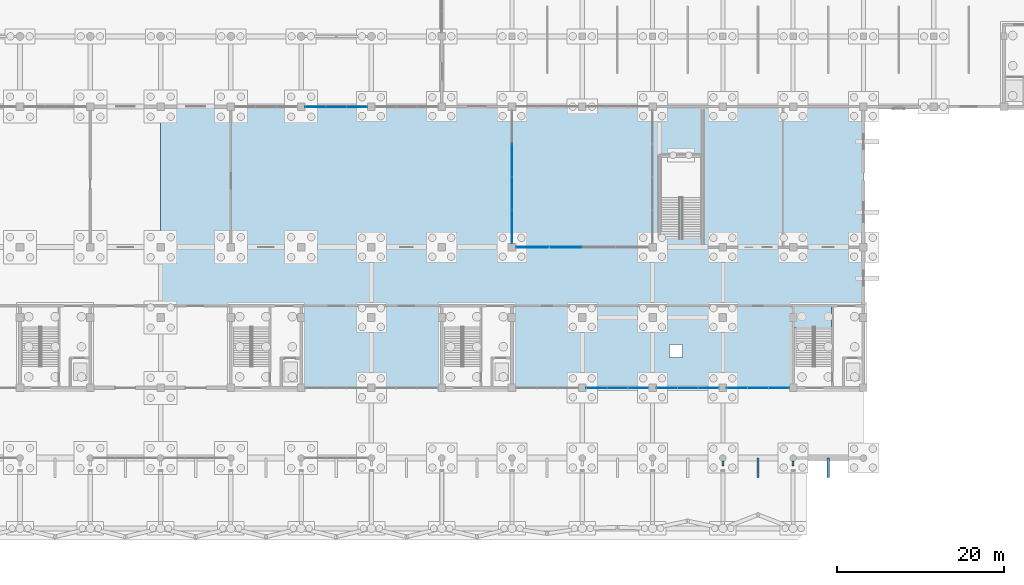
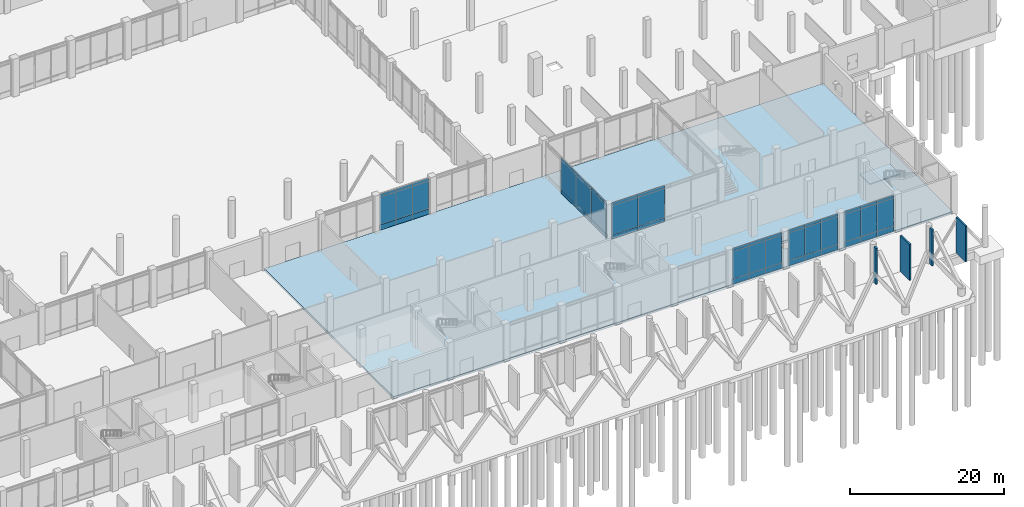
# One storey, part 46 of 72: 55 plates, 2 slabs, 7 elements without a shape of their own.
"""IFC4 building model written with IfcOpenShell, lengths in metres."""

import ifcopenshell
import ifcopenshell.guid

model = None  # the IFC model being written
_history = None  # IfcOwnerHistory: only IFC2X3 demands one
_inside = {}  # id of a spatial element -> (the spatial element, [elements in it])
_under = {}  # id of a project, library or spatial element -> (it, [spatial elements below it])
_declared = {}  # id of a project -> (the project, [libraries it declares])
_typed = {}  # id of a type object -> (the type object, [elements of that type])
_made_of = {}  # id of a material, layer set ... -> (it, [elements and type objects made of it])


def new_model(schema):
    """Start an empty IFC model of exactly this schema.

    Asked for "IFC4X3", IfcOpenShell would pick the latest addendum, in which some entities
    have other attributes; the version numbers below select the first issue.
    IFC2X3 requires an IfcOwnerHistory on every rooted entity: one is made here for all.
    """
    global model, _history
    if schema == "IFC4X3":
        model = ifcopenshell.file(schema_version=(4, 3, 0, 0))
    else:
        model = ifcopenshell.file(schema=schema)
    _inside.clear()
    _under.clear()
    _declared.clear()
    _typed.clear()
    _made_of.clear()
    _history = None
    if model.schema == "IFC2X3":
        org = make("IfcOrganization", Name="unknown")
        user = make(
            "IfcPersonAndOrganization",
            ThePerson=make("IfcPerson", FamilyName="unknown"),
            TheOrganization=org,
        )
        app = make(
            "IfcApplication",
            ApplicationDeveloper=org,
            Version="unknown",
            ApplicationFullName="unknown",
            ApplicationIdentifier="unknown",
        )
        _history = make(
            "IfcOwnerHistory",
            OwningUser=user,
            OwningApplication=app,
            ChangeAction="ADDED",
            CreationDate=0,
        )
    return model


def make(cls, **values):
    """One entity of the class cls with the attributes given. An attribute that is None is left unset."""
    return model.create_entity(
        cls, **{name: value for name, value in values.items() if value is not None}
    )


def rooted(cls, **values):
    """An entity with a GlobalId (a new one), such as an element, a storey or a relation."""
    return make(cls, GlobalId=ifcopenshell.guid.new(), OwnerHistory=_history, **values)


def si_unit(unit_type, name, prefix=None):
    """IfcSIUnit, for example si_unit("LENGTHUNIT", "METRE", prefix="MILLI")."""
    return make("IfcSIUnit", UnitType=unit_type, Prefix=prefix, Name=name)


def assignment(units):
    """IfcUnitAssignment: the units of a project."""
    return None if units is None else make("IfcUnitAssignment", Units=units)


def point(xyz):
    """IfcCartesianPoint."""
    return None if xyz is None else make("IfcCartesianPoint", Coordinates=xyz)


def direction(xyz):
    """IfcDirection."""
    return None if xyz is None else make("IfcDirection", DirectionRatios=xyz)


def frame(location, z_axis=None, x_axis=None):
    """IfcAxis2Placement3D, a coordinate frame: its origin and axes. An axis left out is left unset."""
    return make(
        "IfcAxis2Placement3D",
        Location=point(location),
        Axis=direction(z_axis),
        RefDirection=direction(x_axis),
    )


def frame_2d(location, x_axis=None):
    """IfcAxis2Placement2D, a coordinate frame in the plane: its origin and x axis."""
    return make(
        "IfcAxis2Placement2D", Location=point(location), RefDirection=direction(x_axis)
    )


def origin():
    """The frame at (0, 0, 0) with its axes left unset."""
    return frame((0.0, 0.0, 0.0))


def place(relative_to, where):
    """IfcLocalPlacement: puts the frame where relative to a parent placement (None: the world)."""
    return make(
        "IfcLocalPlacement", PlacementRelTo=relative_to, RelativePlacement=where
    )


def context(
    kind, dimensions, precision=None, world=None, true_north=None, identifier=None
):
    """IfcGeometricRepresentationContext, for example the 3D "Model" context."""
    return make(
        "IfcGeometricRepresentationContext",
        ContextIdentifier=identifier,
        ContextType=kind,
        CoordinateSpaceDimension=dimensions,
        Precision=precision,
        WorldCoordinateSystem=world,
        TrueNorth=true_north,
    )


def subcontext(parent, identifier, kind, view, scale=None):
    """IfcGeometricRepresentationSubContext, for example "Body" below "Model"."""
    return make(
        "IfcGeometricRepresentationSubContext",
        ContextIdentifier=identifier,
        ContextType=kind,
        ParentContext=parent,
        TargetScale=scale,
        TargetView=view,
    )


def project(units=None, contexts=None):
    """IfcProject with its units and contexts."""
    return rooted(
        "IfcProject",
        Name="project",
        RepresentationContexts=contexts,
        UnitsInContext=assignment(units),
    )


def spatial(cls, under=None, at=None, **own):
    """A site, building, storey or space (cls), placed at a placement, below another one or the project."""
    s = rooted(cls, ObjectPlacement=at, **own)
    if under is not None:
        _under.setdefault(under.id(), (under, []))[1].append(s)
    return s


def polyline(points):
    """IfcPolyline through the points."""
    return make("IfcPolyline", Points=[point(p) for p in points])


def profile(cls, at=None, kind="AREA", **sizes):
    """A parametric profile (cls). Its sizes go by their IFC names, for example OverallWidth=200.0."""
    return make(cls, ProfileType=kind, Position=at, **sizes)


def rectangle(**sizes):
    """IfcRectangleProfileDef."""
    return profile("IfcRectangleProfileDef", **sizes)


def outline(outer, holes=None, kind="AREA"):
    """IfcArbitraryClosedProfileDef: a profile drawn as a closed curve; with holes, ...WithVoids."""
    if holes is None:
        return make("IfcArbitraryClosedProfileDef", ProfileType=kind, OuterCurve=outer)
    return make(
        "IfcArbitraryProfileDefWithVoids",
        ProfileType=kind,
        OuterCurve=outer,
        InnerCurves=holes,
    )


def extrude(swept, where, along, depth):
    """IfcExtrudedAreaSolid: the profile swept, set in the frame where, extruded along a direction by depth."""
    return make(
        "IfcExtrudedAreaSolid",
        SweptArea=swept,
        Position=where,
        ExtrudedDirection=direction(along),
        Depth=depth,
    )


def shape(context_of_items, identifier, shape_type, items):
    """IfcShapeRepresentation: the items that make up one representation, for example the "Body"."""
    return make(
        "IfcShapeRepresentation",
        ContextOfItems=context_of_items,
        RepresentationIdentifier=identifier,
        RepresentationType=shape_type,
        Items=items,
    )


def material(Name=None, Category=None):
    """IfcMaterial."""
    return make("IfcMaterial", Name=Name, Category=Category)


def layer(
    of_material, thickness, ventilated=None, Name=None, Category=None, Priority=None
):
    """IfcMaterialLayer: one layer of a wall or slab, of a material (None: an air gap)."""
    return make(
        "IfcMaterialLayer",
        Material=of_material,
        LayerThickness=thickness,
        IsVentilated=ventilated,
        Name=Name,
        Category=Category,
        Priority=Priority,
    )


def layer_set(layers, Name=None):
    """IfcMaterialLayerSet."""
    return make("IfcMaterialLayerSet", MaterialLayers=layers, LayerSetName=Name)


def made_of(thing, what):
    """Note that an element or type object is made of a material, layer set ...; save() writes the relation."""
    if what is not None:
        _made_of.setdefault(what.id(), (what, []))[1].append(thing)
    return thing


def type_object(cls, material=None, **own):
    """A type object (cls), such as IfcWallType, which elements share."""
    return made_of(rooted(cls, **own), material)


def element(
    cls,
    number,
    at=None,
    inside=None,
    cuts=None,
    type_object=None,
    material=None,
    context=None,
    identifier="Body",
    shape_type=None,
    held_by="IfcProductDefinitionShape",
    body=None,
    shapes=None,
    **own,
):
    """One element of the class cls, such as IfcWall. Its Tag is "e" and its number.

    at: its placement. inside: the storey or other place that contains it. cuts: it is an
    opening in that element (IfcRelVoidsElement). A single representation is given by context,
    identifier, shape_type and body (its items); several are given by shapes. held_by: the class
    of the entity that holds the representations. save() writes the other relations.
    """
    e = rooted(cls, Tag="e%d" % number, ObjectPlacement=at, **own)
    if body is not None:
        shapes = [shape(context, identifier, shape_type, body)]
    if shapes is not None:
        e.Representation = make(held_by, Representations=shapes)
    if inside is not None:
        _inside.setdefault(inside.id(), (inside, []))[1].append(e)
    if cuts is not None:
        rooted(
            "IfcRelVoidsElement", RelatingBuildingElement=cuts, RelatedOpeningElement=e
        )
    if type_object is not None:
        _typed.setdefault(type_object.id(), (type_object, []))[1].append(e)
    return made_of(e, material)


def aggregate(whole, parts):
    """IfcRelAggregates: a whole, such as a stair, and the parts it consists of."""
    return rooted("IfcRelAggregates", RelatingObject=whole, RelatedObjects=parts)


def save(model, path):
    """Write the relations noted so far, then the file.

    IfcRelAggregates (storeys below a building ...), IfcRelContainedInSpatialStructure (elements
    in a storey), IfcRelDefinesByType, IfcRelAssociatesMaterial and IfcRelDeclares: one each for
    every whole, place, type object, material and project.
    """
    for whole, parts in _under.values():
        aggregate(whole, parts)
    for where, things in _inside.values():
        rooted(
            "IfcRelContainedInSpatialStructure",
            RelatedElements=things,
            RelatingStructure=where,
        )
    for kind, things in _typed.values():
        rooted("IfcRelDefinesByType", RelatedObjects=things, RelatingType=kind)
    for what, things in _made_of.values():
        rooted("IfcRelAssociatesMaterial", RelatedObjects=things, RelatingMaterial=what)
    for by, libraries in _declared.values():
        rooted("IfcRelDeclares", RelatingContext=by, RelatedDefinitions=libraries)
    model.write(path)


model = new_model("IFC4")

# Units and contexts
model_context = context("Model", 3, precision=1e-05, world=origin(), true_north=direction((0.0, 1.0)))
body_context = subcontext(model_context, "Body", "Model", "MODEL_VIEW")
ifc_project = project(units=[si_unit("LENGTHUNIT", "METRE"), si_unit("AREAUNIT", "SQUARE_METRE"), si_unit("VOLUMEUNIT", "CUBIC_METRE"), si_unit("PLANEANGLEUNIT", "RADIAN"), si_unit("MASSUNIT", "GRAM", prefix="KILO")], contexts=[model_context])

# Site, building, storey
site_placement = place(None, origin())
site = spatial("IfcSite", under=ifc_project, at=site_placement, CompositionType="ELEMENT")
building_placement = place(site_placement, origin())
building = spatial("IfcBuilding", under=site, at=building_placement, Name="Qawsi Khor Wholesale Market", CompositionType="ELEMENT")
storey_placement = place(building_placement, origin())
storey = spatial("IfcBuildingStorey", under=building, at=storey_placement, Name="L00", CompositionType="ELEMENT", Elevation=0.0)

# Slab
ifc_material_1 = material(Name="Concrete C45/55", Category="concrete")
ifc_layer_1 = layer(ifc_material_1, 0.360107421875, Name="Concrete C45/55")
ifc_layer_set_1 = layer_set([ifc_layer_1], Name="Concrete C45/55")
slab_type_1 = type_object("IfcSlabType", Name="Ground-Bearing Slab 360 C45/55", PredefinedType="BASESLAB", material=ifc_layer_set_1)
slab_1_placement = place(storey_placement, frame((0.0, 0.0, -0.360107421875)))
element("IfcSlab", 1, at=slab_1_placement, inside=storey, type_object=slab_type_1, Name="SLB-L00-SWING-E", PredefinedType="BASESLAB", context=body_context, shape_type="SweptSolid", body=[
    extrude(outline(polyline([(109.199951171875, 42.0), (193.199951171875, 42.0), (193.199951171875, 8.39990234375), (109.199951171875, 8.39990234375), (109.199951171875, 42.0)]), holes=[polyline([(171.60009765625, 12.0), (171.60009765625, 13.60009765625), (170.0, 13.60009765625), (170.0, 12.0), (171.60009765625, 12.0)])]), origin(), (0.0, 0.0, 1.0), 0.360107421875),
])

# Curtain wall, plates
ifc_material_2 = material(Name="Aluminium Anodised Bronze", Category="aluminium")
ifc_layer_2 = layer(ifc_material_2, 0.159912109375, Name="Aluminium Anodised Bronze")
ifc_layer_set_2 = layer_set([ifc_layer_2], Name="Aluminium Anodised Bronze")
curtain_wall_type_1 = type_object("IfcCurtainWallType", Name="Boulevard Arcade Glazed Curtain Wall CW-01", PredefinedType="NOTDEFINED", material=ifc_layer_set_2)
curtain_wall_1_placement = place(storey_placement, origin())
curtain_wall_1 = element("IfcCurtainWall", 2, at=curtain_wall_1_placement, inside=storey, type_object=curtain_wall_type_1, Name="Curtain wall CW-CW-01-L00-008", PredefinedType="NOTDEFINED")
ifc_material_3 = material(Name="Anodised Aluminium Spandrel", Category="aluminium")
ifc_layer_3 = layer(ifc_material_3, 0.054931640625, Name="Anodised Aluminium Spandrel")
ifc_layer_set_3 = layer_set([ifc_layer_3], Name="Anodised Aluminium Spandrel")
plate_type_1 = type_object("IfcPlateType", Name="Insulated Spandrel Panel CW-01 55mm", PredefinedType="CURTAIN_PANEL", material=ifc_layer_set_3)
plate_1_placement = place(storey_placement, frame((160.092529296875, 8.39990234375, 0.0048828125), z_axis=(0.0, 0.0, 1.0), x_axis=(1.0, 0.0, 0.0)))
plate_1 = element("IfcPlate", 3, at=plate_1_placement, type_object=plate_type_1, Name="Curtain panel CW-CW-01-L00-008-P0_00", PredefinedType="CURTAIN_PANEL", context=body_context, shape_type="SweptSolid", body=[
    extrude(rectangle(XDim=2.4716796875, YDim=0.054931640625, at=frame_2d((1.23583984375, 0.0))), origin(), (0.0, 0.0, 1.0), 0.840087890625),
])
plate_2_placement = place(storey_placement, frame((162.564208984375, 8.39990234375, 0.0048828125), z_axis=(0.0, 0.0, 1.0), x_axis=(1.0, 0.0, 0.0)))
plate_2 = element("IfcPlate", 4, at=plate_2_placement, type_object=plate_type_1, Name="Curtain panel CW-CW-01-L00-008-P0_01", PredefinedType="CURTAIN_PANEL", context=body_context, shape_type="SweptSolid", body=[
    extrude(rectangle(XDim=2.4716796875, YDim=0.054931640625, at=frame_2d((1.23583984375, 0.0))), origin(), (0.0, 0.0, 1.0), 0.840087890625),
])
plate_3_placement = place(storey_placement, frame((165.035888671875, 8.39990234375, 0.0048828125), z_axis=(0.0, 0.0, 1.0), x_axis=(1.0, 0.0, 0.0)))
plate_3 = element("IfcPlate", 5, at=plate_3_placement, type_object=plate_type_1, Name="Curtain panel CW-CW-01-L00-008-P0_02", PredefinedType="CURTAIN_PANEL", context=body_context, shape_type="SweptSolid", body=[
    extrude(rectangle(XDim=2.4716796875, YDim=0.054931640625, at=frame_2d((1.23583984375, 0.0))), origin(), (0.0, 0.0, 1.0), 0.840087890625),
])

curtain_wall_2_placement = place(storey_placement, origin())
curtain_wall_2 = element("IfcCurtainWall", 6, at=curtain_wall_2_placement, inside=storey, type_object=curtain_wall_type_1, Name="Curtain wall CW-CW-01-L00-009", PredefinedType="NOTDEFINED")
plate_4_placement = place(storey_placement, frame((168.492431640625, 8.39990234375, 0.0048828125), z_axis=(0.0, 0.0, 1.0), x_axis=(1.0, 0.0, 0.0)))
plate_4 = element("IfcPlate", 7, at=plate_4_placement, type_object=plate_type_1, Name="Curtain panel CW-CW-01-L00-009-P0_00", PredefinedType="CURTAIN_PANEL", context=body_context, shape_type="SweptSolid", body=[
    extrude(rectangle(XDim=2.4716796875, YDim=0.054931640625, at=frame_2d((1.23583984375, 0.0))), origin(), (0.0, 0.0, 1.0), 0.840087890625),
])
plate_5_placement = place(storey_placement, frame((170.964111328125, 8.39990234375, 0.0048828125), z_axis=(0.0, 0.0, 1.0), x_axis=(1.0, 0.0, 0.0)))
plate_5 = element("IfcPlate", 8, at=plate_5_placement, type_object=plate_type_1, Name="Curtain panel CW-CW-01-L00-009-P0_01", PredefinedType="CURTAIN_PANEL", context=body_context, shape_type="SweptSolid", body=[
    extrude(rectangle(XDim=2.4716796875, YDim=0.054931640625, at=frame_2d((1.23583984375, 0.0))), origin(), (0.0, 0.0, 1.0), 0.840087890625),
])
plate_6_placement = place(storey_placement, frame((173.435791015625, 8.39990234375, 0.0048828125), z_axis=(0.0, 0.0, 1.0), x_axis=(1.0, 0.0, 0.0)))
plate_6 = element("IfcPlate", 9, at=plate_6_placement, type_object=plate_type_1, Name="Curtain panel CW-CW-01-L00-009-P0_02", PredefinedType="CURTAIN_PANEL", context=body_context, shape_type="SweptSolid", body=[
    extrude(rectangle(XDim=2.4716796875, YDim=0.054931640625, at=frame_2d((1.23583984375, 0.0))), origin(), (0.0, 0.0, 1.0), 0.840087890625),
])

curtain_wall_3_placement = place(storey_placement, origin())
curtain_wall_3 = element("IfcCurtainWall", 10, at=curtain_wall_3_placement, inside=storey, type_object=curtain_wall_type_1, Name="Curtain wall CW-CW-01-L00-010", PredefinedType="NOTDEFINED")
plate_7_placement = place(storey_placement, frame((176.892578125, 8.39990234375, 0.0048828125), z_axis=(0.0, 0.0, 1.0), x_axis=(1.0, 0.0, 0.0)))
plate_7 = element("IfcPlate", 11, at=plate_7_placement, type_object=plate_type_1, Name="Curtain panel CW-CW-01-L00-010-P0_00", PredefinedType="CURTAIN_PANEL", context=body_context, shape_type="SweptSolid", body=[
    extrude(rectangle(XDim=2.4716796875, YDim=0.054931640625, at=frame_2d((1.23583984375, 0.0))), origin(), (0.0, 0.0, 1.0), 0.840087890625),
])
plate_8_placement = place(storey_placement, frame((179.3642578125, 8.39990234375, 0.0048828125), z_axis=(0.0, 0.0, 1.0), x_axis=(1.0, 0.0, 0.0)))
plate_8 = element("IfcPlate", 12, at=plate_8_placement, type_object=plate_type_1, Name="Curtain panel CW-CW-01-L00-010-P0_01", PredefinedType="CURTAIN_PANEL", context=body_context, shape_type="SweptSolid", body=[
    extrude(rectangle(XDim=2.471435546875, YDim=0.054931640625, at=frame_2d((1.23583984375, 0.0))), origin(), (0.0, 0.0, 1.0), 0.840087890625),
])
plate_9_placement = place(storey_placement, frame((181.835693359375, 8.39990234375, 0.0048828125), z_axis=(0.0, 0.0, 1.0), x_axis=(1.0, 0.0, 0.0)))
plate_9 = element("IfcPlate", 13, at=plate_9_placement, type_object=plate_type_1, Name="Curtain panel CW-CW-01-L00-010-P0_02", PredefinedType="CURTAIN_PANEL", context=body_context, shape_type="SweptSolid", body=[
    extrude(rectangle(XDim=2.471923828125, YDim=0.054931640625, at=frame_2d((1.23583984375, 0.0))), origin(), (0.0, 0.0, 1.0), 0.840087890625),
])

ifc_layer_4 = layer(ifc_material_2, 0.179931640625, Name="Aluminium Anodised Bronze")
ifc_layer_set_4 = layer_set([ifc_layer_4], Name="Aluminium Anodised Bronze")
curtain_wall_type_2 = type_object("IfcCurtainWallType", Name="Atrium Full-Height Curtain Wall CW-02", PredefinedType="NOTDEFINED", material=ifc_layer_set_4)
curtain_wall_4_placement = place(storey_placement, origin())
curtain_wall_4 = element("IfcCurtainWall", 14, at=curtain_wall_4_placement, inside=storey, type_object=curtain_wall_type_2, Name="Curtain wall CW-CW-02-L00-031", PredefinedType="NOTDEFINED")
ifc_layer_5 = layer(ifc_material_3, 0.06494140625, Name="Anodised Aluminium Spandrel")
ifc_layer_set_5 = layer_set([ifc_layer_5], Name="Anodised Aluminium Spandrel")
plate_type_2 = type_object("IfcPlateType", Name="Insulated Spandrel Panel CW-02 65mm", PredefinedType="CURTAIN_PANEL", material=ifc_layer_set_5)
plate_10_placement = place(storey_placement, frame((151.695068359375, 25.199951171875, 0.0048828125), z_axis=(0.0, 0.0, 1.0), x_axis=(1.0, 0.0, 0.0)))
plate_10 = element("IfcPlate", 15, at=plate_10_placement, type_object=plate_type_2, Name="Curtain panel CW-CW-02-L00-031-P0_00", PredefinedType="CURTAIN_PANEL", context=body_context, shape_type="SweptSolid", body=[
    extrude(rectangle(XDim=3.952392578125, YDim=0.06494140625, at=frame_2d((1.97607421875, 0.0))), origin(), (0.0, 0.0, 1.0), 0.590087890625),
])
plate_11_placement = place(storey_placement, frame((155.6474609375, 25.199951171875, 0.0048828125), z_axis=(0.0, 0.0, 1.0), x_axis=(1.0, 0.0, 0.0)))
plate_11 = element("IfcPlate", 16, at=plate_11_placement, type_object=plate_type_2, Name="Curtain panel CW-CW-02-L00-031-P0_01", PredefinedType="CURTAIN_PANEL", context=body_context, shape_type="SweptSolid", body=[
    extrude(rectangle(XDim=3.95263671875, YDim=0.06494140625, at=frame_2d((1.976318359375, 0.0))), origin(), (0.0, 0.0, 1.0), 0.590087890625),
])

curtain_wall_5_placement = place(storey_placement, origin())
curtain_wall_5 = element("IfcCurtainWall", 17, at=curtain_wall_5_placement, inside=storey, type_object=curtain_wall_type_2, Name="Curtain wall CW-CW-02-L00-034", PredefinedType="NOTDEFINED")
plate_12_placement = place(storey_placement, frame((151.199951171875, 25.695068359375, 0.0048828125), z_axis=(0.0, 0.0, 1.0), x_axis=(0.0, 1.0, 0.0)))
plate_12 = element("IfcPlate", 18, at=plate_12_placement, type_object=plate_type_2, Name="Curtain panel CW-CW-02-L00-034-P0_00", PredefinedType="CURTAIN_PANEL", context=body_context, shape_type="SweptSolid", body=[
    extrude(rectangle(XDim=3.952392578125, YDim=0.06494140625, at=frame_2d((1.97607421875, 0.0))), origin(), (0.0, 0.0, 1.0), 0.590087890625),
])
plate_13_placement = place(storey_placement, frame((151.199951171875, 29.6474609375, 0.0048828125), z_axis=(0.0, 0.0, 1.0), x_axis=(0.0, 1.0, 0.0)))
plate_13 = element("IfcPlate", 19, at=plate_13_placement, type_object=plate_type_2, Name="Curtain panel CW-CW-02-L00-034-P0_01", PredefinedType="CURTAIN_PANEL", context=body_context, shape_type="SweptSolid", body=[
    extrude(rectangle(XDim=3.95263671875, YDim=0.06494140625, at=frame_2d((1.976318359375, 0.0))), origin(), (0.0, 0.0, 1.0), 0.590087890625),
])
plate_14_placement = place(storey_placement, frame((151.199951171875, 33.60009765625, 0.0048828125), z_axis=(0.0, 0.0, 1.0), x_axis=(0.0, 1.0, 0.0)))
plate_14 = element("IfcPlate", 20, at=plate_14_placement, type_object=plate_type_2, Name="Curtain panel CW-CW-02-L00-034-P0_02", PredefinedType="CURTAIN_PANEL", context=body_context, shape_type="SweptSolid", body=[
    extrude(rectangle(XDim=3.952392578125, YDim=0.06494140625, at=frame_2d((1.97607421875, 0.0))), origin(), (0.0, 0.0, 1.0), 0.590087890625),
])

ifc_layer_6 = layer(ifc_material_2, 0.169921875, Name="Aluminium Anodised Bronze")
ifc_layer_set_6 = layer_set([ifc_layer_6], Name="Aluminium Anodised Bronze")
curtain_wall_type_3 = type_object("IfcCurtainWallType", Name="Central Court Gallery Curtain Wall CW-05", PredefinedType="NOTDEFINED", material=ifc_layer_set_6)
curtain_wall_6_placement = place(storey_placement, origin())
curtain_wall_6 = element("IfcCurtainWall", 21, at=curtain_wall_6_placement, inside=storey, type_object=curtain_wall_type_3, Name="Curtain wall CW-CW-05-L00-058", PredefinedType="NOTDEFINED")
ifc_layer_7 = layer(ifc_material_3, 0.094970703125, Name="Anodised Aluminium Spandrel")
ifc_layer_set_7 = layer_set([ifc_layer_7], Name="Anodised Aluminium Spandrel")
plate_type_3 = type_object("IfcPlateType", Name="Insulated Spandrel Panel CW-05 95mm", PredefinedType="CURTAIN_PANEL", material=ifc_layer_set_7)
plate_15_placement = place(storey_placement, frame((126.5, 42.0, 0.0048828125), z_axis=(0.0, 0.0, 1.0), x_axis=(1.0, 0.0, 0.0)))
plate_15 = element("IfcPlate", 22, at=plate_15_placement, type_object=plate_type_3, Name="Curtain panel CW-CW-05-L00-058-P0_00", PredefinedType="CURTAIN_PANEL", context=body_context, shape_type="SweptSolid", body=[
    extrude(rectangle(XDim=2.466796875, YDim=0.094970703125, at=frame_2d((1.2333984375, 0.0))), origin(), (0.0, 0.0, 1.0), 0.840087890625),
])
plate_16_placement = place(storey_placement, frame((128.966796875, 42.0, 0.0048828125), z_axis=(0.0, 0.0, 1.0), x_axis=(1.0, 0.0, 0.0)))
plate_16 = element("IfcPlate", 23, at=plate_16_placement, type_object=plate_type_3, Name="Curtain panel CW-CW-05-L00-058-P0_01", PredefinedType="CURTAIN_PANEL", context=body_context, shape_type="SweptSolid", body=[
    extrude(rectangle(XDim=2.466552734375, YDim=0.094970703125, at=frame_2d((1.2333984375, 0.0))), origin(), (0.0, 0.0, 1.0), 0.840087890625),
])
plate_17_placement = place(storey_placement, frame((131.433349609375, 42.0, 0.0048828125), z_axis=(0.0, 0.0, 1.0), x_axis=(1.0, 0.0, 0.0)))
plate_17 = element("IfcPlate", 24, at=plate_17_placement, type_object=plate_type_3, Name="Curtain panel CW-CW-05-L00-058-P0_02", PredefinedType="CURTAIN_PANEL", context=body_context, shape_type="SweptSolid", body=[
    extrude(rectangle(XDim=2.466552734375, YDim=0.094970703125, at=frame_2d((1.2333984375, 0.0))), origin(), (0.0, 0.0, 1.0), 0.840087890625),
])

# Plates
ifc_material_4 = material(Name="Concrete C40/50", Category="concrete")
ifc_layer_8 = layer(ifc_material_4, 0.260009765625, Name="Concrete C40/50")
ifc_layer_set_8 = layer_set([ifc_layer_8], Name="Concrete C40/50")
plate_type_4 = type_object("IfcPlateType", Name="Sculpted Concrete Solar Buttress Fin 260", PredefinedType="SHEET", material=ifc_layer_set_8)
plate_18_placement = place(storey_placement, frame((176.39990234375, -0.949951171875, 0.0), z_axis=(0.0, 0.0, 1.0), x_axis=(0.0, 1.0, 0.0)))
element("IfcPlate", 25, at=plate_18_placement, inside=storey, type_object=plate_type_4, Name="Boulevard concrete solar buttress fin L00-36", PredefinedType="SHEET", context=body_context, shape_type="SweptSolid", body=[
    extrude(rectangle(XDim=0.58984375, YDim=0.260009765625, at=frame_2d((0.294921875, 0.0))), origin(), (0.0, 0.0, 1.0), 5.719970703125),
])
plate_19_placement = place(storey_placement, frame((180.60009765625, -2.35009765625, 0.0), z_axis=(0.0, 0.0, 1.0), x_axis=(0.0, 1.0, 0.0)))
element("IfcPlate", 26, at=plate_19_placement, inside=storey, type_object=plate_type_4, Name="Boulevard concrete solar buttress fin L00-37", PredefinedType="SHEET", context=body_context, shape_type="SweptSolid", body=[
    extrude(rectangle(XDim=2.3701171875, YDim=0.260009765625, at=frame_2d((1.18505859375, 0.0))), origin(), (0.0, 0.0, 1.0), 5.719970703125),
])
plate_20_placement = place(storey_placement, frame((184.800048828125, -0.949951171875, 0.0), z_axis=(0.0, 0.0, 1.0), x_axis=(0.0, 1.0, 0.0)))
element("IfcPlate", 27, at=plate_20_placement, inside=storey, type_object=plate_type_4, Name="Boulevard concrete solar buttress fin L00-38", PredefinedType="SHEET", context=body_context, shape_type="SweptSolid", body=[
    extrude(rectangle(XDim=0.58984375, YDim=0.260009765625, at=frame_2d((0.294921875, 0.0))), origin(), (0.0, 0.0, 1.0), 5.719970703125),
])
plate_21_placement = place(storey_placement, frame((189.0, -2.35009765625, 0.0), z_axis=(0.0, 0.0, 1.0), x_axis=(0.0, 1.0, 0.0)))
element("IfcPlate", 28, at=plate_21_placement, inside=storey, type_object=plate_type_4, Name="Boulevard concrete solar buttress fin L00-39", PredefinedType="SHEET", context=body_context, shape_type="SweptSolid", body=[
    extrude(rectangle(XDim=2.3701171875, YDim=0.260009765625, at=frame_2d((1.18505859375, 0.0))), origin(), (0.0, 0.0, 1.0), 5.719970703125),
])

# Plate
ifc_material_5 = material(Name="Tempered Low-E Solar Glass", Category="glass")
ifc_layer_9 = layer(ifc_material_5, 0.02392578125, Name="Tempered Low-E Solar Glass")
ifc_layer_set_9 = layer_set([ifc_layer_9], Name="Tempered Low-E Solar Glass")
plate_type_5 = type_object("IfcPlateType", Name="Solar Double-Glazed Unit CW-01 24mm", PredefinedType="CURTAIN_PANEL", material=ifc_layer_set_9)
plate_22_placement = place(storey_placement, frame((160.092529296875, 8.39990234375, 0.85498046875), z_axis=(0.0, 0.0, 1.0), x_axis=(1.0, 0.0, 0.0)))
plate_22 = element("IfcPlate", 29, at=plate_22_placement, type_object=plate_type_5, Name="Curtain panel CW-CW-01-L00-008-P1_00", PredefinedType="CURTAIN_PANEL", context=body_context, shape_type="SweptSolid", body=[
    extrude(rectangle(XDim=2.4716796875, YDim=0.02392578125, at=frame_2d((1.23583984375, 0.0))), origin(), (0.0, 0.0, 1.0), 4.409912109375),
])

plate_23_placement = place(storey_placement, frame((162.564208984375, 8.39990234375, 0.85498046875), z_axis=(0.0, 0.0, 1.0), x_axis=(1.0, 0.0, 0.0)))
plate_23 = element("IfcPlate", 30, at=plate_23_placement, type_object=plate_type_5, Name="Curtain panel CW-CW-01-L00-008-P1_01", PredefinedType="CURTAIN_PANEL", context=body_context, shape_type="SweptSolid", body=[
    extrude(rectangle(XDim=2.4716796875, YDim=0.02392578125, at=frame_2d((1.23583984375, 0.0))), origin(), (0.0, 0.0, 1.0), 4.409912109375),
])

plate_24_placement = place(storey_placement, frame((165.035888671875, 8.39990234375, 0.85498046875), z_axis=(0.0, 0.0, 1.0), x_axis=(1.0, 0.0, 0.0)))
plate_24 = element("IfcPlate", 31, at=plate_24_placement, type_object=plate_type_5, Name="Curtain panel CW-CW-01-L00-008-P1_02", PredefinedType="CURTAIN_PANEL", context=body_context, shape_type="SweptSolid", body=[
    extrude(rectangle(XDim=2.4716796875, YDim=0.02392578125, at=frame_2d((1.23583984375, 0.0))), origin(), (0.0, 0.0, 1.0), 4.409912109375),
])

plate_25_placement = place(storey_placement, frame((160.092529296875, 8.39990234375, 5.27490234375), z_axis=(0.0, 0.0, 1.0), x_axis=(1.0, 0.0, 0.0)))
plate_25 = element("IfcPlate", 32, at=plate_25_placement, type_object=plate_type_5, Name="Curtain panel CW-CW-01-L00-008-P2_00", PredefinedType="CURTAIN_PANEL", context=body_context, shape_type="SweptSolid", body=[
    extrude(rectangle(XDim=2.4716796875, YDim=0.02392578125, at=frame_2d((1.23583984375, 0.0))), origin(), (0.0, 0.0, 1.0), 0.440185546875),
])

plate_26_placement = place(storey_placement, frame((162.564208984375, 8.39990234375, 5.27490234375), z_axis=(0.0, 0.0, 1.0), x_axis=(1.0, 0.0, 0.0)))
plate_26 = element("IfcPlate", 33, at=plate_26_placement, type_object=plate_type_5, Name="Curtain panel CW-CW-01-L00-008-P2_01", PredefinedType="CURTAIN_PANEL", context=body_context, shape_type="SweptSolid", body=[
    extrude(rectangle(XDim=2.4716796875, YDim=0.02392578125, at=frame_2d((1.23583984375, 0.0))), origin(), (0.0, 0.0, 1.0), 0.440185546875),
])

plate_27_placement = place(storey_placement, frame((165.035888671875, 8.39990234375, 5.27490234375), z_axis=(0.0, 0.0, 1.0), x_axis=(1.0, 0.0, 0.0)))
plate_27 = element("IfcPlate", 34, at=plate_27_placement, type_object=plate_type_5, Name="Curtain panel CW-CW-01-L00-008-P2_02", PredefinedType="CURTAIN_PANEL", context=body_context, shape_type="SweptSolid", body=[
    extrude(rectangle(XDim=2.4716796875, YDim=0.02392578125, at=frame_2d((1.23583984375, 0.0))), origin(), (0.0, 0.0, 1.0), 0.440185546875),
])

aggregate(curtain_wall_1, [plate_1, plate_2, plate_3, plate_22, plate_23, plate_24, plate_25, plate_26, plate_27])

plate_28_placement = place(storey_placement, frame((168.492431640625, 8.39990234375, 0.85498046875), z_axis=(0.0, 0.0, 1.0), x_axis=(1.0, 0.0, 0.0)))
plate_28 = element("IfcPlate", 35, at=plate_28_placement, type_object=plate_type_5, Name="Curtain panel CW-CW-01-L00-009-P1_00", PredefinedType="CURTAIN_PANEL", context=body_context, shape_type="SweptSolid", body=[
    extrude(rectangle(XDim=2.4716796875, YDim=0.02392578125, at=frame_2d((1.23583984375, 0.0))), origin(), (0.0, 0.0, 1.0), 4.409912109375),
])

plate_29_placement = place(storey_placement, frame((170.964111328125, 8.39990234375, 0.85498046875), z_axis=(0.0, 0.0, 1.0), x_axis=(1.0, 0.0, 0.0)))
plate_29 = element("IfcPlate", 36, at=plate_29_placement, type_object=plate_type_5, Name="Curtain panel CW-CW-01-L00-009-P1_01", PredefinedType="CURTAIN_PANEL", context=body_context, shape_type="SweptSolid", body=[
    extrude(rectangle(XDim=2.4716796875, YDim=0.02392578125, at=frame_2d((1.23583984375, 0.0))), origin(), (0.0, 0.0, 1.0), 4.409912109375),
])

plate_30_placement = place(storey_placement, frame((173.435791015625, 8.39990234375, 0.85498046875), z_axis=(0.0, 0.0, 1.0), x_axis=(1.0, 0.0, 0.0)))
plate_30 = element("IfcPlate", 37, at=plate_30_placement, type_object=plate_type_5, Name="Curtain panel CW-CW-01-L00-009-P1_02", PredefinedType="CURTAIN_PANEL", context=body_context, shape_type="SweptSolid", body=[
    extrude(rectangle(XDim=2.4716796875, YDim=0.02392578125, at=frame_2d((1.23583984375, 0.0))), origin(), (0.0, 0.0, 1.0), 4.409912109375),
])

plate_31_placement = place(storey_placement, frame((168.492431640625, 8.39990234375, 5.27490234375), z_axis=(0.0, 0.0, 1.0), x_axis=(1.0, 0.0, 0.0)))
plate_31 = element("IfcPlate", 38, at=plate_31_placement, type_object=plate_type_5, Name="Curtain panel CW-CW-01-L00-009-P2_00", PredefinedType="CURTAIN_PANEL", context=body_context, shape_type="SweptSolid", body=[
    extrude(rectangle(XDim=2.4716796875, YDim=0.02392578125, at=frame_2d((1.23583984375, 0.0))), origin(), (0.0, 0.0, 1.0), 0.440185546875),
])

plate_32_placement = place(storey_placement, frame((170.964111328125, 8.39990234375, 5.27490234375), z_axis=(0.0, 0.0, 1.0), x_axis=(1.0, 0.0, 0.0)))
plate_32 = element("IfcPlate", 39, at=plate_32_placement, type_object=plate_type_5, Name="Curtain panel CW-CW-01-L00-009-P2_01", PredefinedType="CURTAIN_PANEL", context=body_context, shape_type="SweptSolid", body=[
    extrude(rectangle(XDim=2.4716796875, YDim=0.02392578125, at=frame_2d((1.23583984375, 0.0))), origin(), (0.0, 0.0, 1.0), 0.440185546875),
])

plate_33_placement = place(storey_placement, frame((173.435791015625, 8.39990234375, 5.27490234375), z_axis=(0.0, 0.0, 1.0), x_axis=(1.0, 0.0, 0.0)))
plate_33 = element("IfcPlate", 40, at=plate_33_placement, type_object=plate_type_5, Name="Curtain panel CW-CW-01-L00-009-P2_02", PredefinedType="CURTAIN_PANEL", context=body_context, shape_type="SweptSolid", body=[
    extrude(rectangle(XDim=2.4716796875, YDim=0.02392578125, at=frame_2d((1.23583984375, 0.0))), origin(), (0.0, 0.0, 1.0), 0.440185546875),
])

aggregate(curtain_wall_2, [plate_4, plate_5, plate_6, plate_28, plate_29, plate_30, plate_31, plate_32, plate_33])

plate_34_placement = place(storey_placement, frame((176.892578125, 8.39990234375, 0.85498046875), z_axis=(0.0, 0.0, 1.0), x_axis=(1.0, 0.0, 0.0)))
plate_34 = element("IfcPlate", 41, at=plate_34_placement, type_object=plate_type_5, Name="Curtain panel CW-CW-01-L00-010-P1_00", PredefinedType="CURTAIN_PANEL", context=body_context, shape_type="SweptSolid", body=[
    extrude(rectangle(XDim=2.4716796875, YDim=0.02392578125, at=frame_2d((1.23583984375, 0.0))), origin(), (0.0, 0.0, 1.0), 4.409912109375),
])

plate_35_placement = place(storey_placement, frame((179.3642578125, 8.39990234375, 0.85498046875), z_axis=(0.0, 0.0, 1.0), x_axis=(1.0, 0.0, 0.0)))
plate_35 = element("IfcPlate", 42, at=plate_35_placement, type_object=plate_type_5, Name="Curtain panel CW-CW-01-L00-010-P1_01", PredefinedType="CURTAIN_PANEL", context=body_context, shape_type="SweptSolid", body=[
    extrude(rectangle(XDim=2.471435546875, YDim=0.02392578125, at=frame_2d((1.23583984375, 0.0))), origin(), (0.0, 0.0, 1.0), 4.409912109375),
])

plate_36_placement = place(storey_placement, frame((181.835693359375, 8.39990234375, 0.85498046875), z_axis=(0.0, 0.0, 1.0), x_axis=(1.0, 0.0, 0.0)))
plate_36 = element("IfcPlate", 43, at=plate_36_placement, type_object=plate_type_5, Name="Curtain panel CW-CW-01-L00-010-P1_02", PredefinedType="CURTAIN_PANEL", context=body_context, shape_type="SweptSolid", body=[
    extrude(rectangle(XDim=2.471923828125, YDim=0.02392578125, at=frame_2d((1.23583984375, 0.0))), origin(), (0.0, 0.0, 1.0), 4.409912109375),
])

plate_37_placement = place(storey_placement, frame((176.892578125, 8.39990234375, 5.27490234375), z_axis=(0.0, 0.0, 1.0), x_axis=(1.0, 0.0, 0.0)))
plate_37 = element("IfcPlate", 44, at=plate_37_placement, type_object=plate_type_5, Name="Curtain panel CW-CW-01-L00-010-P2_00", PredefinedType="CURTAIN_PANEL", context=body_context, shape_type="SweptSolid", body=[
    extrude(rectangle(XDim=2.4716796875, YDim=0.02392578125, at=frame_2d((1.23583984375, 0.0))), origin(), (0.0, 0.0, 1.0), 0.440185546875),
])

plate_38_placement = place(storey_placement, frame((179.3642578125, 8.39990234375, 5.27490234375), z_axis=(0.0, 0.0, 1.0), x_axis=(1.0, 0.0, 0.0)))
plate_38 = element("IfcPlate", 45, at=plate_38_placement, type_object=plate_type_5, Name="Curtain panel CW-CW-01-L00-010-P2_01", PredefinedType="CURTAIN_PANEL", context=body_context, shape_type="SweptSolid", body=[
    extrude(rectangle(XDim=2.471435546875, YDim=0.02392578125, at=frame_2d((1.23583984375, 0.0))), origin(), (0.0, 0.0, 1.0), 0.440185546875),
])

plate_39_placement = place(storey_placement, frame((181.835693359375, 8.39990234375, 5.27490234375), z_axis=(0.0, 0.0, 1.0), x_axis=(1.0, 0.0, 0.0)))
plate_39 = element("IfcPlate", 46, at=plate_39_placement, type_object=plate_type_5, Name="Curtain panel CW-CW-01-L00-010-P2_02", PredefinedType="CURTAIN_PANEL", context=body_context, shape_type="SweptSolid", body=[
    extrude(rectangle(XDim=2.471923828125, YDim=0.02392578125, at=frame_2d((1.23583984375, 0.0))), origin(), (0.0, 0.0, 1.0), 0.440185546875),
])

aggregate(curtain_wall_3, [plate_7, plate_8, plate_9, plate_34, plate_35, plate_36, plate_37, plate_38, plate_39])

ifc_layer_10 = layer(ifc_material_5, 0.031982421875, Name="Tempered Low-E Solar Glass")
ifc_layer_set_10 = layer_set([ifc_layer_10], Name="Tempered Low-E Solar Glass")
plate_type_6 = type_object("IfcPlateType", Name="Solar Double-Glazed Unit CW-02 32mm", PredefinedType="CURTAIN_PANEL", material=ifc_layer_set_10)
plate_40_placement = place(storey_placement, frame((151.695068359375, 25.199951171875, 0.60498046875), z_axis=(0.0, 0.0, 1.0), x_axis=(1.0, 0.0, 0.0)))
plate_40 = element("IfcPlate", 47, at=plate_40_placement, type_object=plate_type_6, Name="Curtain panel CW-CW-02-L00-031-P1_00", PredefinedType="CURTAIN_PANEL", context=body_context, shape_type="SweptSolid", body=[
    extrude(rectangle(XDim=3.952392578125, YDim=0.031982421875, at=frame_2d((1.97607421875, 0.0))), origin(), (0.0, 0.0, 1.0), 4.659912109375),
])

plate_41_placement = place(storey_placement, frame((155.6474609375, 25.199951171875, 0.60498046875), z_axis=(0.0, 0.0, 1.0), x_axis=(1.0, 0.0, 0.0)))
plate_41 = element("IfcPlate", 48, at=plate_41_placement, type_object=plate_type_6, Name="Curtain panel CW-CW-02-L00-031-P1_01", PredefinedType="CURTAIN_PANEL", context=body_context, shape_type="SweptSolid", body=[
    extrude(rectangle(XDim=3.95263671875, YDim=0.031982421875, at=frame_2d((1.976318359375, 0.0))), origin(), (0.0, 0.0, 1.0), 4.659912109375),
])

plate_42_placement = place(storey_placement, frame((151.695068359375, 25.199951171875, 5.27490234375), z_axis=(0.0, 0.0, 1.0), x_axis=(1.0, 0.0, 0.0)))
plate_42 = element("IfcPlate", 49, at=plate_42_placement, type_object=plate_type_6, Name="Curtain panel CW-CW-02-L00-031-P2_00", PredefinedType="CURTAIN_PANEL", context=body_context, shape_type="SweptSolid", body=[
    extrude(rectangle(XDim=3.952392578125, YDim=0.031982421875, at=frame_2d((1.97607421875, 0.0))), origin(), (0.0, 0.0, 1.0), 0.440185546875),
])

plate_43_placement = place(storey_placement, frame((155.6474609375, 25.199951171875, 5.27490234375), z_axis=(0.0, 0.0, 1.0), x_axis=(1.0, 0.0, 0.0)))
plate_43 = element("IfcPlate", 50, at=plate_43_placement, type_object=plate_type_6, Name="Curtain panel CW-CW-02-L00-031-P2_01", PredefinedType="CURTAIN_PANEL", context=body_context, shape_type="SweptSolid", body=[
    extrude(rectangle(XDim=3.95263671875, YDim=0.031982421875, at=frame_2d((1.976318359375, 0.0))), origin(), (0.0, 0.0, 1.0), 0.440185546875),
])

aggregate(curtain_wall_4, [plate_10, plate_11, plate_40, plate_41, plate_42, plate_43])

plate_44_placement = place(storey_placement, frame((151.199951171875, 25.695068359375, 0.60498046875), z_axis=(0.0, 0.0, 1.0), x_axis=(0.0, 1.0, 0.0)))
plate_44 = element("IfcPlate", 51, at=plate_44_placement, type_object=plate_type_6, Name="Curtain panel CW-CW-02-L00-034-P1_00", PredefinedType="CURTAIN_PANEL", context=body_context, shape_type="SweptSolid", body=[
    extrude(rectangle(XDim=3.952392578125, YDim=0.031982421875, at=frame_2d((1.97607421875, 0.0))), origin(), (0.0, 0.0, 1.0), 4.659912109375),
])

plate_45_placement = place(storey_placement, frame((151.199951171875, 29.6474609375, 0.60498046875), z_axis=(0.0, 0.0, 1.0), x_axis=(0.0, 1.0, 0.0)))
plate_45 = element("IfcPlate", 52, at=plate_45_placement, type_object=plate_type_6, Name="Curtain panel CW-CW-02-L00-034-P1_01", PredefinedType="CURTAIN_PANEL", context=body_context, shape_type="SweptSolid", body=[
    extrude(rectangle(XDim=3.95263671875, YDim=0.031982421875, at=frame_2d((1.976318359375, 0.0))), origin(), (0.0, 0.0, 1.0), 4.659912109375),
])

plate_46_placement = place(storey_placement, frame((151.199951171875, 33.60009765625, 0.60498046875), z_axis=(0.0, 0.0, 1.0), x_axis=(0.0, 1.0, 0.0)))
plate_46 = element("IfcPlate", 53, at=plate_46_placement, type_object=plate_type_6, Name="Curtain panel CW-CW-02-L00-034-P1_02", PredefinedType="CURTAIN_PANEL", context=body_context, shape_type="SweptSolid", body=[
    extrude(rectangle(XDim=3.952392578125, YDim=0.031982421875, at=frame_2d((1.97607421875, 0.0))), origin(), (0.0, 0.0, 1.0), 4.659912109375),
])

plate_47_placement = place(storey_placement, frame((151.199951171875, 25.695068359375, 5.27490234375), z_axis=(0.0, 0.0, 1.0), x_axis=(0.0, 1.0, 0.0)))
plate_47 = element("IfcPlate", 54, at=plate_47_placement, type_object=plate_type_6, Name="Curtain panel CW-CW-02-L00-034-P2_00", PredefinedType="CURTAIN_PANEL", context=body_context, shape_type="SweptSolid", body=[
    extrude(rectangle(XDim=3.952392578125, YDim=0.031982421875, at=frame_2d((1.97607421875, 0.0))), origin(), (0.0, 0.0, 1.0), 0.440185546875),
])

plate_48_placement = place(storey_placement, frame((151.199951171875, 29.6474609375, 5.27490234375), z_axis=(0.0, 0.0, 1.0), x_axis=(0.0, 1.0, 0.0)))
plate_48 = element("IfcPlate", 55, at=plate_48_placement, type_object=plate_type_6, Name="Curtain panel CW-CW-02-L00-034-P2_01", PredefinedType="CURTAIN_PANEL", context=body_context, shape_type="SweptSolid", body=[
    extrude(rectangle(XDim=3.95263671875, YDim=0.031982421875, at=frame_2d((1.976318359375, 0.0))), origin(), (0.0, 0.0, 1.0), 0.440185546875),
])

plate_49_placement = place(storey_placement, frame((151.199951171875, 33.60009765625, 5.27490234375), z_axis=(0.0, 0.0, 1.0), x_axis=(0.0, 1.0, 0.0)))
plate_49 = element("IfcPlate", 56, at=plate_49_placement, type_object=plate_type_6, Name="Curtain panel CW-CW-02-L00-034-P2_02", PredefinedType="CURTAIN_PANEL", context=body_context, shape_type="SweptSolid", body=[
    extrude(rectangle(XDim=3.952392578125, YDim=0.031982421875, at=frame_2d((1.97607421875, 0.0))), origin(), (0.0, 0.0, 1.0), 0.440185546875),
])

aggregate(curtain_wall_5, [plate_12, plate_13, plate_14, plate_44, plate_45, plate_46, plate_47, plate_48, plate_49])

ifc_layer_11 = layer(ifc_material_5, 0.035888671875, Name="Tempered Low-E Solar Glass")
ifc_layer_set_11 = layer_set([ifc_layer_11], Name="Tempered Low-E Solar Glass")
plate_type_7 = type_object("IfcPlateType", Name="Solar Double-Glazed Unit CW-05 36mm", PredefinedType="CURTAIN_PANEL", material=ifc_layer_set_11)
plate_50_placement = place(storey_placement, frame((126.5, 42.0, 0.85498046875), z_axis=(0.0, 0.0, 1.0), x_axis=(1.0, 0.0, 0.0)))
plate_50 = element("IfcPlate", 57, at=plate_50_placement, type_object=plate_type_7, Name="Curtain panel CW-CW-05-L00-058-P1_00", PredefinedType="CURTAIN_PANEL", context=body_context, shape_type="SweptSolid", body=[
    extrude(rectangle(XDim=2.466796875, YDim=0.035888671875, at=frame_2d((1.2333984375, 0.0))), origin(), (0.0, 0.0, 1.0), 4.409912109375),
])

plate_51_placement = place(storey_placement, frame((128.966796875, 42.0, 0.85498046875), z_axis=(0.0, 0.0, 1.0), x_axis=(1.0, 0.0, 0.0)))
plate_51 = element("IfcPlate", 58, at=plate_51_placement, type_object=plate_type_7, Name="Curtain panel CW-CW-05-L00-058-P1_01", PredefinedType="CURTAIN_PANEL", context=body_context, shape_type="SweptSolid", body=[
    extrude(rectangle(XDim=2.466552734375, YDim=0.035888671875, at=frame_2d((1.2333984375, 0.0))), origin(), (0.0, 0.0, 1.0), 4.409912109375),
])

plate_52_placement = place(storey_placement, frame((131.433349609375, 42.0, 0.85498046875), z_axis=(0.0, 0.0, 1.0), x_axis=(1.0, 0.0, 0.0)))
plate_52 = element("IfcPlate", 59, at=plate_52_placement, type_object=plate_type_7, Name="Curtain panel CW-CW-05-L00-058-P1_02", PredefinedType="CURTAIN_PANEL", context=body_context, shape_type="SweptSolid", body=[
    extrude(rectangle(XDim=2.466552734375, YDim=0.035888671875, at=frame_2d((1.2333984375, 0.0))), origin(), (0.0, 0.0, 1.0), 4.409912109375),
])

plate_53_placement = place(storey_placement, frame((126.5, 42.0, 5.27490234375), z_axis=(0.0, 0.0, 1.0), x_axis=(1.0, 0.0, 0.0)))
plate_53 = element("IfcPlate", 60, at=plate_53_placement, type_object=plate_type_7, Name="Curtain panel CW-CW-05-L00-058-P2_00", PredefinedType="CURTAIN_PANEL", context=body_context, shape_type="SweptSolid", body=[
    extrude(rectangle(XDim=2.466796875, YDim=0.035888671875, at=frame_2d((1.2333984375, 0.0))), origin(), (0.0, 0.0, 1.0), 0.440185546875),
])

plate_54_placement = place(storey_placement, frame((128.966796875, 42.0, 5.27490234375), z_axis=(0.0, 0.0, 1.0), x_axis=(1.0, 0.0, 0.0)))
plate_54 = element("IfcPlate", 61, at=plate_54_placement, type_object=plate_type_7, Name="Curtain panel CW-CW-05-L00-058-P2_01", PredefinedType="CURTAIN_PANEL", context=body_context, shape_type="SweptSolid", body=[
    extrude(rectangle(XDim=2.466552734375, YDim=0.035888671875, at=frame_2d((1.2333984375, 0.0))), origin(), (0.0, 0.0, 1.0), 0.440185546875),
])

plate_55_placement = place(storey_placement, frame((131.433349609375, 42.0, 5.27490234375), z_axis=(0.0, 0.0, 1.0), x_axis=(1.0, 0.0, 0.0)))
plate_55 = element("IfcPlate", 62, at=plate_55_placement, type_object=plate_type_7, Name="Curtain panel CW-CW-05-L00-058-P2_02", PredefinedType="CURTAIN_PANEL", context=body_context, shape_type="SweptSolid", body=[
    extrude(rectangle(XDim=2.466552734375, YDim=0.035888671875, at=frame_2d((1.2333984375, 0.0))), origin(), (0.0, 0.0, 1.0), 0.440185546875),
])

aggregate(curtain_wall_6, [plate_15, plate_16, plate_17, plate_50, plate_51, plate_52, plate_53, plate_54, plate_55])

# Stair, slab
stair_type = type_object("IfcStairType", Name="Exit Stair L00-L01 6000 Rise", PredefinedType="HALF_TURN_STAIR", material=ifc_material_4)
stair_placement = place(storey_placement, origin())
stair = element("IfcStair", 63, at=stair_placement, inside=storey, type_object=stair_type, Name="Stair ST-06 L00", PredefinedType="HALF_TURN_STAIR")
ifc_layer_12 = layer(ifc_material_4, 0.179931640625, Name="Concrete C40/50")
ifc_layer_set_12 = layer_set([ifc_layer_12], Name="Concrete C40/50")
slab_type_2 = type_object("IfcSlabType", Name="Stair Half-Landing Slab 180 C40/50", PredefinedType="LANDING", material=ifc_layer_set_12)
slab_2_placement = place(storey_placement, frame((0.0, 0.0, 2.820068359375)))
slab_2 = element("IfcSlab", 64, at=slab_2_placement, type_object=slab_type_2, Name="ST-06-L00 landing 1", PredefinedType="LANDING", context=body_context, shape_type="SweptSolid", body=[
    extrude(outline(polyline([(184.85009765625, 15.52001953125), (189.3798828125, 15.52001953125), (189.3798828125, 18.14990234375), (184.85009765625, 18.14990234375), (184.85009765625, 15.52001953125)])), origin(), (0.0, 0.0, 1.0), 0.179931640625),
])
aggregate(stair, [slab_2])

save(model, "model.ifc")
